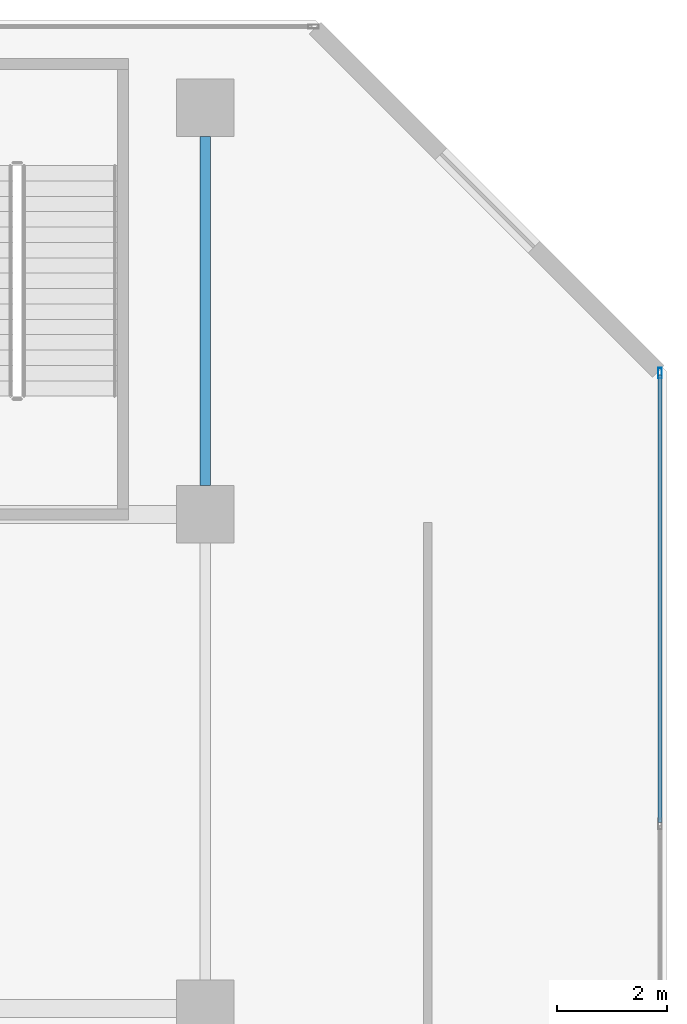
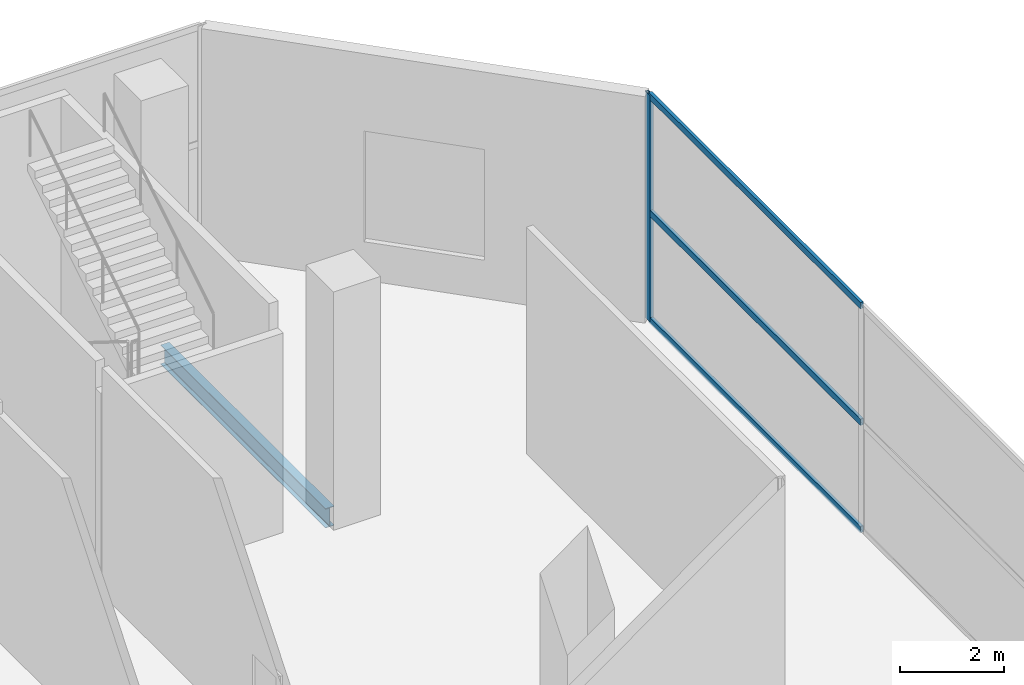
# One storey, part 29 of 40: 4 members, 1 beam, 1 element without a shape of its own.
"""IFC4 building model written with IfcOpenShell, lengths in metres."""

from ifc_helpers import new_model, si_unit, direction, frame, origin, origin_2d, place, context, subcontext, project, spatial, hollow_rectangle, i_section, extrude, material, layer, layer_set, material_profile, profile_set, type_object, element, aggregate, save


model = new_model("IFC4")

# Units and contexts
model_context = context("Model", 3, precision=1e-05, world=origin(), true_north=direction((0.0, 1.0)))
body_context = subcontext(model_context, "Body", "Model", "MODEL_VIEW")
ifc_project = project(units=[si_unit("LENGTHUNIT", "METRE"), si_unit("AREAUNIT", "SQUARE_METRE"), si_unit("VOLUMEUNIT", "CUBIC_METRE"), si_unit("PLANEANGLEUNIT", "RADIAN"), si_unit("MASSUNIT", "GRAM", prefix="KILO")], contexts=[model_context])

# Site, building, storey
site_placement = place(None, origin())
site = spatial("IfcSite", under=ifc_project, at=site_placement, CompositionType="ELEMENT")
building_placement = place(site_placement, origin())
building = spatial("IfcBuilding", under=site, at=building_placement, Name="Maruvema Waterfront Hotel and Observation Tower", CompositionType="ELEMENT")
storey_placement = place(building_placement, frame((0.0, 0.0, 10.85009765625)))
storey = spatial("IfcBuildingStorey", under=building, at=storey_placement, Name="L02", CompositionType="ELEMENT", Elevation=10.85009765625)

# Curtain wall, members
ifc_material_1 = material(Name="Anodised bronze aluminium and solar-control low-E IGU", Category="aluminium")
ifc_layer = layer(ifc_material_1, 0.159912109375, Name="Podium Waterfront Storefront Curtain Wall System CW-01")
ifc_layer_set = layer_set([ifc_layer], Name="Anodised bronze aluminium and solar-control low-E IGU")
curtain_wall_type = type_object("IfcCurtainWallType", Name="Podium Waterfront Storefront Curtain Wall System CW-01", PredefinedType="USERDEFINED", material=ifc_layer_set)
curtain_wall_placement = place(storey_placement, origin())
curtain_wall = element("IfcCurtainWall", 1, at=curtain_wall_placement, inside=storey, type_object=curtain_wall_type, Name="L02 Curtain Wall CW-L02-E", ObjectType="UNITISED CURTAIN WALL", PredefinedType="USERDEFINED")
ifc_material_2 = material(Name="Anodised architectural bronze aluminium", Category="aluminium")
ifc_material_profile_1 = material_profile(ifc_material_2, hollow_rectangle(XDim=0.070068359375, YDim=0.14990234375, WallThickness=0.00390625, at=origin_2d()), Name="ALU-T70x150")
ifc_profile_set_1 = profile_set([ifc_material_profile_1], Name="Anodised architectural bronze aluminium")
member_type_1 = type_object("IfcMemberType", Name="Curtain Wall Horizontal Transom ALU-T70x150", PredefinedType="USERDEFINED", material=ifc_profile_set_1)
member_1_placement = place(storey_placement, frame((75.47998046875, 39.389892578125, 0.02978515625), z_axis=(0.0, 1.0, 0.0), x_axis=(-1.0, 0.0, 0.0)))
member_1 = element("IfcMember", 2, at=member_1_placement, type_object=member_type_1, Name="CW-01 transom 5.1", ObjectType="TRANSOM", PredefinedType="USERDEFINED", context=body_context, shape_type="SweptSolid", body=[
    extrude(hollow_rectangle(XDim=0.070068359375, YDim=0.14990234375, WallThickness=0.00390625, at=origin_2d()), origin(), (0.0, 0.0, 1.0), 8.150146484375),
])
member_2_placement = place(storey_placement, frame((75.47998046875, 39.389892578125, 2.5498046875), z_axis=(0.0, 1.0, 0.0), x_axis=(-1.0, 0.0, 0.0)))
member_2 = element("IfcMember", 3, at=member_2_placement, type_object=member_type_1, Name="CW-01 transom 5.2", ObjectType="TRANSOM", PredefinedType="USERDEFINED", context=body_context, shape_type="SweptSolid", body=[
    extrude(hollow_rectangle(XDim=0.070068359375, YDim=0.14990234375, WallThickness=0.00390625, at=origin_2d()), origin(), (0.0, 0.0, 1.0), 8.150146484375),
])
member_3_placement = place(storey_placement, frame((75.47998046875, 39.389892578125, 5.289794921875), z_axis=(0.0, 1.0, 0.0), x_axis=(-1.0, 0.0, 0.0)))
member_3 = element("IfcMember", 4, at=member_3_placement, type_object=member_type_1, Name="CW-01 transom 5.3", ObjectType="TRANSOM", PredefinedType="USERDEFINED", context=body_context, shape_type="SweptSolid", body=[
    extrude(hollow_rectangle(XDim=0.070068359375, YDim=0.14990234375, WallThickness=0.00390625, at=origin_2d()), origin(), (0.0, 0.0, 1.0), 8.150146484375),
])

# Beam
ifc_material_3 = material(Name="Steel ASTM A572 Grade 50", Category="steel")
ifc_material_profile_2 = material_profile(ifc_material_3, i_section(OverallWidth=0.18994140625, OverallDepth=0.45703125, WebThickness=0.009033203125, FlangeThickness=0.014404296875, FilletRadius=0.014892578125, at=origin_2d()), Name="W460x74.0")
ifc_profile_set_2 = profile_set([ifc_material_profile_2], Name="Steel ASTM A572 Grade 50")
beam_type = type_object("IfcBeamType", Name="Perimeter Spandrel Beam W460x74.0", PredefinedType="SPANDREL", material=ifc_profile_set_2)
beam_placement = place(storey_placement, frame((67.199951171875, 45.52490234375, -0.508544921875), z_axis=(0.0, 1.0, 0.0), x_axis=(-1.0, 0.0, 0.0)))
element("IfcBeam", 5, at=beam_placement, inside=storey, type_object=beam_type, Name="L02 Floor Girder NS-34", PredefinedType="SPANDREL", context=body_context, shape_type="SweptSolid", body=[
    extrude(i_section(OverallWidth=0.18994140625, OverallDepth=0.45703125, WebThickness=0.009033203125, FlangeThickness=0.014404296875, FilletRadius=0.014892578125, at=origin_2d()), origin(), (0.0, 0.0, 1.0), 6.35009765625),
])

# Member
ifc_material_4 = material(Name="Anodised architectural bronze aluminium", Category="aluminium")
ifc_material_profile_3 = material_profile(ifc_material_4, hollow_rectangle(XDim=0.070068359375, YDim=0.18994140625, WallThickness=0.00390625, at=origin_2d()), Name="ALU-M70x190")
ifc_profile_set_3 = profile_set([ifc_material_profile_3], Name="Anodised architectural bronze aluminium")
member_type_2 = type_object("IfcMemberType", Name="Podium Storefront Heavy Mullion ALU-M70x190", PredefinedType="MULLION", material=ifc_profile_set_3)
member_4_placement = place(storey_placement, frame((75.47998046875, 47.570068359375, 0.0), z_axis=(0.0, 0.0, 1.0), x_axis=(-1.0, 0.0, 0.0)))
member_4 = element("IfcMember", 6, at=member_4_placement, type_object=member_type_2, Name="CW-01 mullion 6", PredefinedType="MULLION", context=body_context, shape_type="SweptSolid", body=[
    extrude(hollow_rectangle(XDim=0.070068359375, YDim=0.18994140625, WallThickness=0.00390625, at=origin_2d()), origin(), (0.0, 0.0, 1.0), 5.31982421875),
])

aggregate(curtain_wall, [member_4, member_1, member_2, member_3])

save(model, "model.ifc")
